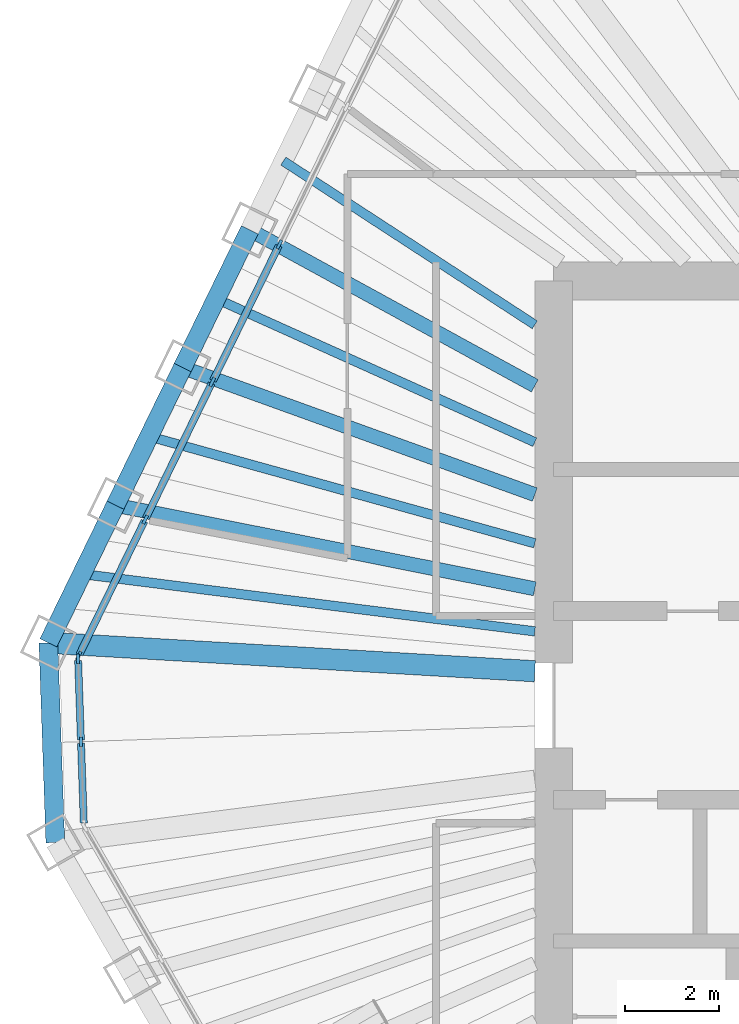
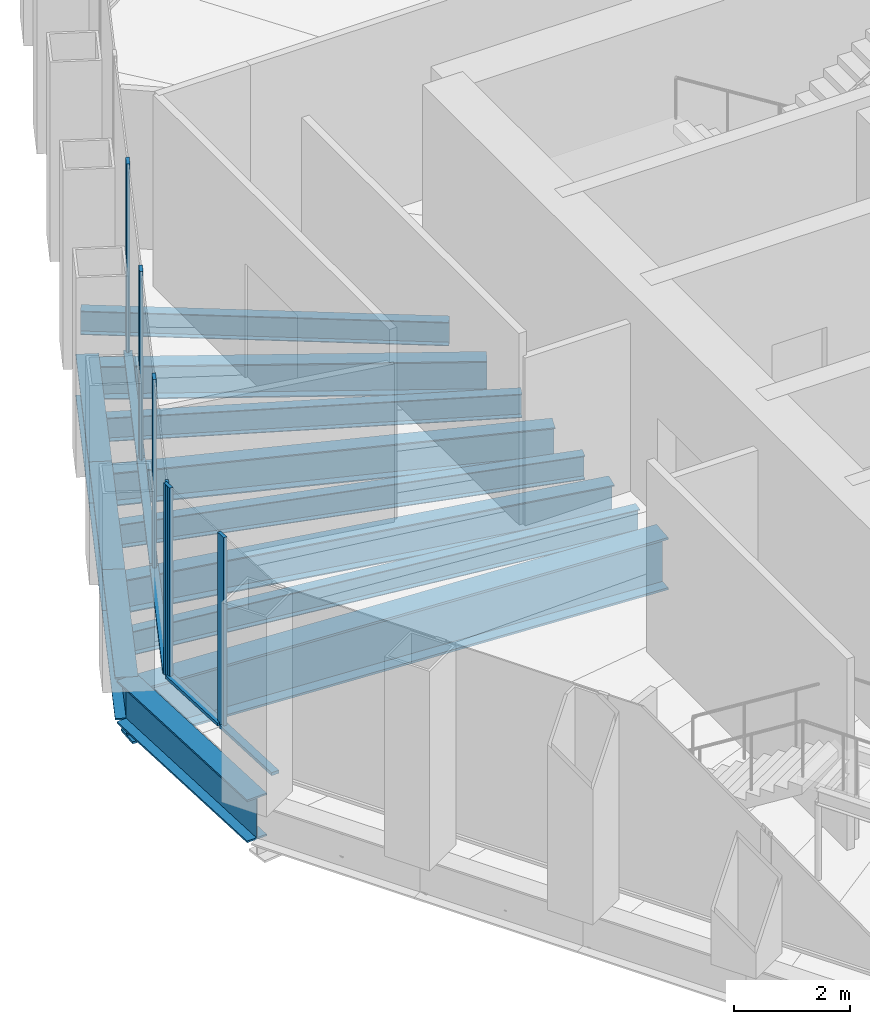
# One storey, part 6 of 17: 12 beams, 11 members, 2 elements without a shape of their own.
"""IFC4 building model written with IfcOpenShell, lengths in metres."""

from ifc_helpers import new_model, si_unit, direction, frame, origin, origin_2d, place, context, subcontext, project, spatial, rectangle, i_section, extrude, material, material_profile, profile_set, type_object, element, aggregate, save


model = new_model("IFC4")

# Units and contexts
model_context = context("Model", 3, precision=1e-05, world=origin(), true_north=direction((0.0, 1.0)))
body_context = subcontext(model_context, "Body", "Model", "MODEL_VIEW")
ifc_project = project(units=[si_unit("LENGTHUNIT", "METRE"), si_unit("AREAUNIT", "SQUARE_METRE"), si_unit("VOLUMEUNIT", "CUBIC_METRE"), si_unit("PLANEANGLEUNIT", "RADIAN"), si_unit("MASSUNIT", "GRAM", prefix="KILO")], contexts=[model_context])

# Site, building, storey
site_placement = place(None, origin())
site = spatial("IfcSite", under=ifc_project, at=site_placement, CompositionType="ELEMENT")
building_placement = place(site_placement, origin())
building = spatial("IfcBuilding", under=site, at=building_placement, Name="Qingtian Harvest Tower", CompositionType="ELEMENT")
storey_placement = place(building_placement, frame((0.0, 0.0, 329.199951171875)))
storey = spatial("IfcBuildingStorey", under=building, at=storey_placement, Name="L73", CompositionType="ELEMENT", Elevation=329.199951171875)

# Beams
ifc_material_1 = material(Name="Steel SM570MC", Category="steel")
ifc_material_profile_1 = material_profile(ifc_material_1, i_section(OverallWidth=0.449951171875, OverallDepth=1.10009765625, WebThickness=0.02197265625, FlangeThickness=0.044921875, at=origin_2d()), Name="H1100x450x22x45")
ifc_profile_set_1 = profile_set([ifc_material_profile_1], Name="Steel SM570MC")
beam_type_1 = type_object("IfcBeamType", Name="Corner floor beam FB8 H1100x450x22x45", PredefinedType="BEAM", material=ifc_profile_set_1)
beam_1_placement = place(storey_placement, frame((-22.71728515625, 1.3271484375, -0.719970703125), z_axis=(0.998297672445, -0.058324584791, 0.0), x_axis=(0.058324584791, 0.998297672445, 0.0)))
element("IfcBeam", 1, at=beam_1_placement, inside=storey, type_object=beam_type_1, Name="Floor beam FB8 NW0", PredefinedType="BEAM", context=body_context, shape_type="SweptSolid", body=[
    extrude(i_section(OverallWidth=0.449951171875, OverallDepth=1.10009765625, WebThickness=0.02197265625, FlangeThickness=0.044921875, at=origin_2d()), origin(), (0.0, 0.0, 1.0), 10.3349609375),
])
ifc_material_2 = material(Name="Steel SN490B", Category="steel")
ifc_material_profile_2 = material_profile(ifc_material_2, i_section(OverallWidth=0.300048828125, OverallDepth=0.699951171875, WebThickness=0.012939453125, FlangeThickness=0.02392578125, at=origin_2d()), Name="H700x300x13x24")
ifc_profile_set_2 = profile_set([ifc_material_profile_2], Name="Steel SN490B")
beam_type_2 = type_object("IfcBeamType", Name="Floor beam FB4 H700x300x13x24", PredefinedType="BEAM", material=ifc_profile_set_2)
beam_2_placement = place(storey_placement, frame((-21.29345703125, 4.246337890625, -0.52001953125), z_axis=(0.980692343585, -0.195556966723, 0.0), x_axis=(0.195556966723, 0.980692343585, 0.0)))
element("IfcBeam", 2, at=beam_2_placement, inside=storey, type_object=beam_type_2, Name="Floor beam FB4 NW1", PredefinedType="BEAM", context=body_context, shape_type="SweptSolid", body=[
    extrude(i_section(OverallWidth=0.300048828125, OverallDepth=0.699951171875, WebThickness=0.012939453125, FlangeThickness=0.02392578125, at=origin_2d()), origin(), (0.0, 0.0, 1.0), 9.068603515625),
])
beam_3_placement = place(storey_placement, frame((-19.86962890625, 7.165771484375, -0.52001953125), z_axis=(0.940696778834, -0.339248537641, 0.0), x_axis=(0.339248537641, 0.940696778834, 0.0)))
element("IfcBeam", 3, at=beam_3_placement, inside=storey, type_object=beam_type_2, Name="Floor beam FB4 NW2", PredefinedType="BEAM", context=body_context, shape_type="SweptSolid", body=[
    extrude(i_section(OverallWidth=0.300048828125, OverallDepth=0.699951171875, WebThickness=0.012939453125, FlangeThickness=0.02392578125, at=origin_2d()), origin(), (0.0, 0.0, 1.0), 7.940673828125),
])
beam_4_placement = place(storey_placement, frame((-18.44580078125, 10.0849609375, -0.52001953125), z_axis=(0.877427999734, -0.479708354402, 0.0), x_axis=(0.479708354402, 0.877427999734, 0.0)))
element("IfcBeam", 4, at=beam_4_placement, inside=storey, type_object=beam_type_2, Name="Floor beam FB4 NW3", PredefinedType="BEAM", context=body_context, shape_type="SweptSolid", body=[
    extrude(i_section(OverallWidth=0.300048828125, OverallDepth=0.699951171875, WebThickness=0.012939453125, FlangeThickness=0.02392578125, at=origin_2d()), origin(), (0.0, 0.0, 1.0), 6.890380859375),
])
ifc_material_3 = material(Name="Steel SN490B", Category="steel")
ifc_material_profile_3 = material_profile(ifc_material_3, i_section(OverallWidth=0.199951171875, OverallDepth=0.5, WebThickness=0.010009765625, FlangeThickness=0.01611328125, at=origin_2d()), Name="H500x200x10x16")
ifc_profile_set_3 = profile_set([ifc_material_profile_3], Name="Steel SN490B")
beam_type_3 = type_object("IfcBeamType", Name="Floor joist J3 H500x200x10x16", PredefinedType="JOIST", material=ifc_profile_set_3)
beam_5_placement = place(storey_placement, frame((-22.00537109375, 2.78662109375, -0.419921875), z_axis=(0.992077984062, -0.125623538954, 0.0), x_axis=(0.125623538954, 0.992077984062, 0.0)))
element("IfcBeam", 5, at=beam_5_placement, inside=storey, type_object=beam_type_3, Name="Floor joist J3 NW0", PredefinedType="JOIST", context=body_context, shape_type="SweptSolid", body=[
    extrude(i_section(OverallWidth=0.199951171875, OverallDepth=0.5, WebThickness=0.010009765625, FlangeThickness=0.01611328125, at=origin_2d()), origin(), (0.0, 0.0, 1.0), 9.68212890625),
])
beam_6_placement = place(storey_placement, frame((-20.58154296875, 5.7060546875, -0.419921875), z_axis=(0.963650445063, -0.267166277306, 0.0), x_axis=(0.267166277306, 0.963650445063, 0.0)))
element("IfcBeam", 6, at=beam_6_placement, inside=storey, type_object=beam_type_3, Name="Floor joist J3 NW1", PredefinedType="JOIST", context=body_context, shape_type="SweptSolid", body=[
    extrude(i_section(OverallWidth=0.199951171875, OverallDepth=0.5, WebThickness=0.010009765625, FlangeThickness=0.01611328125, at=origin_2d()), origin(), (0.0, 0.0, 1.0), 8.490234375),
])
beam_7_placement = place(storey_placement, frame((-19.15771484375, 8.625244140625, -0.419921875), z_axis=(0.911847523905, -0.410529040567, 0.0), x_axis=(0.410529040567, 0.911847523905, 0.0)))
element("IfcBeam", 7, at=beam_7_placement, inside=storey, type_object=beam_type_3, Name="Floor joist J3 NW2", PredefinedType="JOIST", context=body_context, shape_type="SweptSolid", body=[
    extrude(i_section(OverallWidth=0.199951171875, OverallDepth=0.5, WebThickness=0.010009765625, FlangeThickness=0.01611328125, at=origin_2d()), origin(), (0.0, 0.0, 1.0), 7.4111328125),
])
beam_8_placement = place(storey_placement, frame((-17.73388671875, 11.544677734375, -0.419921875), z_axis=(0.83806130614, -0.545576069079, 0.0), x_axis=(0.545576069079, 0.83806130614, 0.0)))
element("IfcBeam", 8, at=beam_8_placement, inside=storey, type_object=beam_type_3, Name="Floor joist J3 NW3", PredefinedType="JOIST", context=body_context, shape_type="SweptSolid", body=[
    extrude(i_section(OverallWidth=0.199951171875, OverallDepth=0.5, WebThickness=0.010009765625, FlangeThickness=0.01611328125, at=origin_2d()), origin(), (0.0, 0.0, 1.0), 6.36474609375),
])

# Curtain wall, members
ifc_material_4 = material(Name="Bronze-anodised aluminium curtain wall", Category="aluminium")
curtain_wall_type = type_object("IfcCurtainWallType", Name="Curtain wall CW6 executive floors", PredefinedType="USERDEFINED", material=ifc_material_4)
curtain_wall_1_placement = place(storey_placement, origin())
curtain_wall_1 = element("IfcCurtainWall", 9, at=curtain_wall_1_placement, inside=storey, type_object=curtain_wall_type, Name="Curtain wall CW6 L73 SWC", ObjectType="RECESSED CURTAIN WALL", PredefinedType="USERDEFINED")
ifc_material_5 = material(Name="Bronze-anodised aluminium mullion", Category="aluminium")
ifc_material_profile_4 = material_profile(ifc_material_5, rectangle(XDim=0.06494140625, YDim=0.199951171875, at=origin_2d()), Name="AL 65x200")
ifc_profile_set_4 = profile_set([ifc_material_profile_4], Name="Bronze-anodised aluminium mullion")
member_type_1 = type_object("IfcMemberType", Name="Mullion CWM 65x200", PredefinedType="MULLION", material=ifc_profile_set_4)
member_1_placement = place(storey_placement, frame((-22.025634765625, -0.76904296875, 0.0), z_axis=(0.0, 0.0, 1.0), x_axis=(-0.999390827019, -0.034899496703, 0.0)))
member_1 = element("IfcMember", 10, at=member_1_placement, type_object=member_type_1, Name="CW6 mullion 2", PredefinedType="MULLION", context=body_context, shape_type="SweptSolid", body=[
    extrude(rectangle(XDim=0.06494140625, YDim=0.199951171875, at=origin_2d()), origin(), (0.0, 0.0, 1.0), 4.030029296875),
])
member_2_placement = place(storey_placement, frame((-22.087158203125, 0.98779296875, 0.0), z_axis=(0.0, 0.0, 1.0), x_axis=(-0.999390827019, -0.034899496703, 0.0)))
member_2 = element("IfcMember", 11, at=member_2_placement, type_object=member_type_1, Name="CW6 mullion 3", PredefinedType="MULLION", context=body_context, shape_type="SweptSolid", body=[
    extrude(rectangle(XDim=0.06494140625, YDim=0.199951171875, at=origin_2d()), origin(), (0.0, 0.0, 1.0), 4.030029296875),
])

curtain_wall_2_placement = place(storey_placement, origin())
curtain_wall_2 = element("IfcCurtainWall", 12, at=curtain_wall_2_placement, inside=storey, type_object=curtain_wall_type, Name="Curtain wall CW6 L73 NW0-5", ObjectType="RECESSED CURTAIN WALL", PredefinedType="USERDEFINED")
member_3_placement = place(storey_placement, frame((-22.073974609375, 1.04931640625, 0.0), z_axis=(0.0, 0.0, 1.0), x_axis=(-0.898794046299, 0.438371146789, 0.0)))
member_3 = element("IfcMember", 13, at=member_3_placement, type_object=member_type_1, Name="CW6 mullion 1", PredefinedType="MULLION", context=body_context, shape_type="SweptSolid", body=[
    extrude(rectangle(XDim=0.06494140625, YDim=0.199951171875, at=origin_2d()), origin(), (0.0, 0.0, 1.0), 4.030029296875),
])
member_4_placement = place(storey_placement, frame((-20.664306640625, 3.939453125, 0.0), z_axis=(0.0, 0.0, 1.0), x_axis=(-0.898794046299, 0.438371146789, 0.0)))
member_4 = element("IfcMember", 14, at=member_4_placement, type_object=member_type_1, Name="CW6 mullion 2", PredefinedType="MULLION", context=body_context, shape_type="SweptSolid", body=[
    extrude(rectangle(XDim=0.06494140625, YDim=0.199951171875, at=origin_2d()), origin(), (0.0, 0.0, 1.0), 4.030029296875),
])
member_5_placement = place(storey_placement, frame((-19.240478515625, 6.85888671875, 0.0), z_axis=(0.0, 0.0, 1.0), x_axis=(-0.898794046299, 0.438371146789, 0.0)))
member_5 = element("IfcMember", 15, at=member_5_placement, type_object=member_type_1, Name="CW6 mullion 3", PredefinedType="MULLION", context=body_context, shape_type="SweptSolid", body=[
    extrude(rectangle(XDim=0.06494140625, YDim=0.199951171875, at=origin_2d()), origin(), (0.0, 0.0, 1.0), 4.030029296875),
])
member_6_placement = place(storey_placement, frame((-17.816650390625, 9.778076171875, 0.0), z_axis=(0.0, 0.0, 1.0), x_axis=(-0.898794046299, 0.438371146789, 0.0)))
member_6 = element("IfcMember", 16, at=member_6_placement, type_object=member_type_1, Name="CW6 mullion 4", PredefinedType="MULLION", context=body_context, shape_type="SweptSolid", body=[
    extrude(rectangle(XDim=0.06494140625, YDim=0.199951171875, at=origin_2d()), origin(), (0.0, 0.0, 1.0), 4.030029296875),
])

# Beams
ifc_material_6 = material(Name="Steel SN490B", Category="steel")
ifc_material_profile_5 = material_profile(ifc_material_6, i_section(OverallWidth=0.39990234375, OverallDepth=0.89990234375, WebThickness=0.01904296875, FlangeThickness=0.035888671875, at=origin_2d()), Name="H900x400x19x36")
ifc_profile_set_5 = profile_set([ifc_material_profile_5], Name="Steel SN490B")
beam_type_4 = type_object("IfcBeamType", Name="Spandrel beam SB4 H900x400x19x36", PredefinedType="SPANDREL", material=ifc_profile_set_5)
beam_9_placement = place(storey_placement, frame((-22.569580078125, -2.908447265625, -0.449951171875), z_axis=(-0.034851142499, 0.999392514414, 0.0), x_axis=(-0.999392514414, -0.034851142499, 0.0)))
element("IfcBeam", 17, at=beam_9_placement, inside=storey, type_object=beam_type_4, Name="Spandrel SB4 SWC", PredefinedType="SPANDREL", context=body_context, shape_type="SweptSolid", body=[
    extrude(i_section(OverallWidth=0.39990234375, OverallDepth=0.89990234375, WebThickness=0.01904296875, FlangeThickness=0.035888671875, at=origin_2d()), origin(), (0.0, 0.0, 1.0), 4.23828125),
])
beam_10_placement = place(storey_placement, frame((-22.71728515625, 1.3271484375, -0.449951171875), z_axis=(0.438382164311, 0.898788672611, 0.0), x_axis=(-0.898788672611, 0.438382164311, 0.0)))
element("IfcBeam", 18, at=beam_10_placement, inside=storey, type_object=beam_type_4, Name="Spandrel SB4 NW0", PredefinedType="SPANDREL", context=body_context, shape_type="SweptSolid", body=[
    extrude(i_section(OverallWidth=0.39990234375, OverallDepth=0.89990234375, WebThickness=0.01904296875, FlangeThickness=0.035888671875, at=origin_2d()), origin(), (0.0, 0.0, 1.0), 3.247802734375),
])
beam_11_placement = place(storey_placement, frame((-21.29345703125, 4.246337890625, -0.449951171875), z_axis=(0.438352548749, 0.898803116931, 0.0), x_axis=(-0.898803116931, 0.438352548749, 0.0)))
element("IfcBeam", 19, at=beam_11_placement, inside=storey, type_object=beam_type_4, Name="Spandrel SB4 NW1", PredefinedType="SPANDREL", context=body_context, shape_type="SweptSolid", body=[
    extrude(i_section(OverallWidth=0.39990234375, OverallDepth=0.89990234375, WebThickness=0.01904296875, FlangeThickness=0.035888671875, at=origin_2d()), origin(), (0.0, 0.0, 1.0), 3.248046875),
])
beam_12_placement = place(storey_placement, frame((-19.86962890625, 7.165771484375, -0.449951171875), z_axis=(0.438382164311, 0.898788672611, 0.0), x_axis=(-0.898788672611, 0.438382164311, 0.0)))
element("IfcBeam", 20, at=beam_12_placement, inside=storey, type_object=beam_type_4, Name="Spandrel SB4 NW2", PredefinedType="SPANDREL", context=body_context, shape_type="SweptSolid", body=[
    extrude(i_section(OverallWidth=0.39990234375, OverallDepth=0.89990234375, WebThickness=0.01904296875, FlangeThickness=0.035888671875, at=origin_2d()), origin(), (0.0, 0.0, 1.0), 3.247802734375),
])

# Member
ifc_material_7 = material(Name="Bronze-anodised aluminium transom", Category="aluminium")
ifc_material_profile_6 = material_profile(ifc_material_7, rectangle(XDim=0.14990234375, YDim=0.06494140625, at=origin_2d()), Name="AL 65x150")
ifc_profile_set_6 = profile_set([ifc_material_profile_6], Name="Bronze-anodised aluminium transom")
member_type_2 = type_object("IfcMemberType", Name="Transom CWT 65x150", PredefinedType="USERDEFINED", material=ifc_profile_set_6)
member_7_placement = place(storey_placement, frame((-21.965576171875, -2.49365234375, 0.032470703125), z_axis=(-0.034899362377, 0.99939083171, 0.0), x_axis=(-0.99939083171, -0.034899362377, 0.0)))
member_7 = element("IfcMember", 21, at=member_7_placement, type_object=member_type_2, Name="CW6 transom 1.1", ObjectType="TRANSOM", PredefinedType="USERDEFINED", context=body_context, shape_type="SweptSolid", body=[
    extrude(rectangle(XDim=0.14990234375, YDim=0.06494140625, at=origin_2d()), origin(), (0.0, 0.0, 1.0), 1.69287109375),
])

member_8_placement = place(storey_placement, frame((-22.02685546875, -0.736572265625, 0.032470703125), z_axis=(-0.034899362377, 0.99939083171, 0.0), x_axis=(-0.99939083171, -0.034899362377, 0.0)))
member_8 = element("IfcMember", 22, at=member_8_placement, type_object=member_type_2, Name="CW6 transom 2.1", ObjectType="TRANSOM", PredefinedType="USERDEFINED", context=body_context, shape_type="SweptSolid", body=[
    extrude(rectangle(XDim=0.14990234375, YDim=0.06494140625, at=origin_2d()), origin(), (0.0, 0.0, 1.0), 1.69287109375),
])

aggregate(curtain_wall_1, [member_1, member_2, member_7, member_8])

member_9_placement = place(storey_placement, frame((-22.059814453125, 1.07861328125, 0.032470703125), z_axis=(0.438357982629, 0.89880046677, 0.0), x_axis=(-0.89880046677, 0.438357982629, 0.0)))
member_9 = element("IfcMember", 23, at=member_9_placement, type_object=member_type_2, Name="CW6 transom 1.1", ObjectType="TRANSOM", PredefinedType="USERDEFINED", context=body_context, shape_type="SweptSolid", body=[
    extrude(rectangle(XDim=0.14990234375, YDim=0.06494140625, at=origin_2d()), origin(), (0.0, 0.0, 1.0), 3.150634765625),
])

member_10_placement = place(storey_placement, frame((-20.650146484375, 3.96875, 0.032470703125), z_axis=(0.438355626738, 0.898801615768, 0.0), x_axis=(-0.898801615768, 0.438355626738, 0.0)))
member_10 = element("IfcMember", 24, at=member_10_placement, type_object=member_type_2, Name="CW6 transom 2.1", ObjectType="TRANSOM", PredefinedType="USERDEFINED", context=body_context, shape_type="SweptSolid", body=[
    extrude(rectangle(XDim=0.14990234375, YDim=0.06494140625, at=origin_2d()), origin(), (0.0, 0.0, 1.0), 3.182861328125),
])

member_11_placement = place(storey_placement, frame((-19.226318359375, 6.887939453125, 0.032470703125), z_axis=(0.438325408134, 0.898816353091, 0.0), x_axis=(-0.898816353091, 0.438325408134, 0.0)))
member_11 = element("IfcMember", 25, at=member_11_placement, type_object=member_type_2, Name="CW6 transom 3.1", ObjectType="TRANSOM", PredefinedType="USERDEFINED", context=body_context, shape_type="SweptSolid", body=[
    extrude(rectangle(XDim=0.14990234375, YDim=0.06494140625, at=origin_2d()), origin(), (0.0, 0.0, 1.0), 3.18310546875),
])

aggregate(curtain_wall_2, [member_3, member_4, member_5, member_6, member_9, member_10, member_11])

save(model, "model.ifc")
